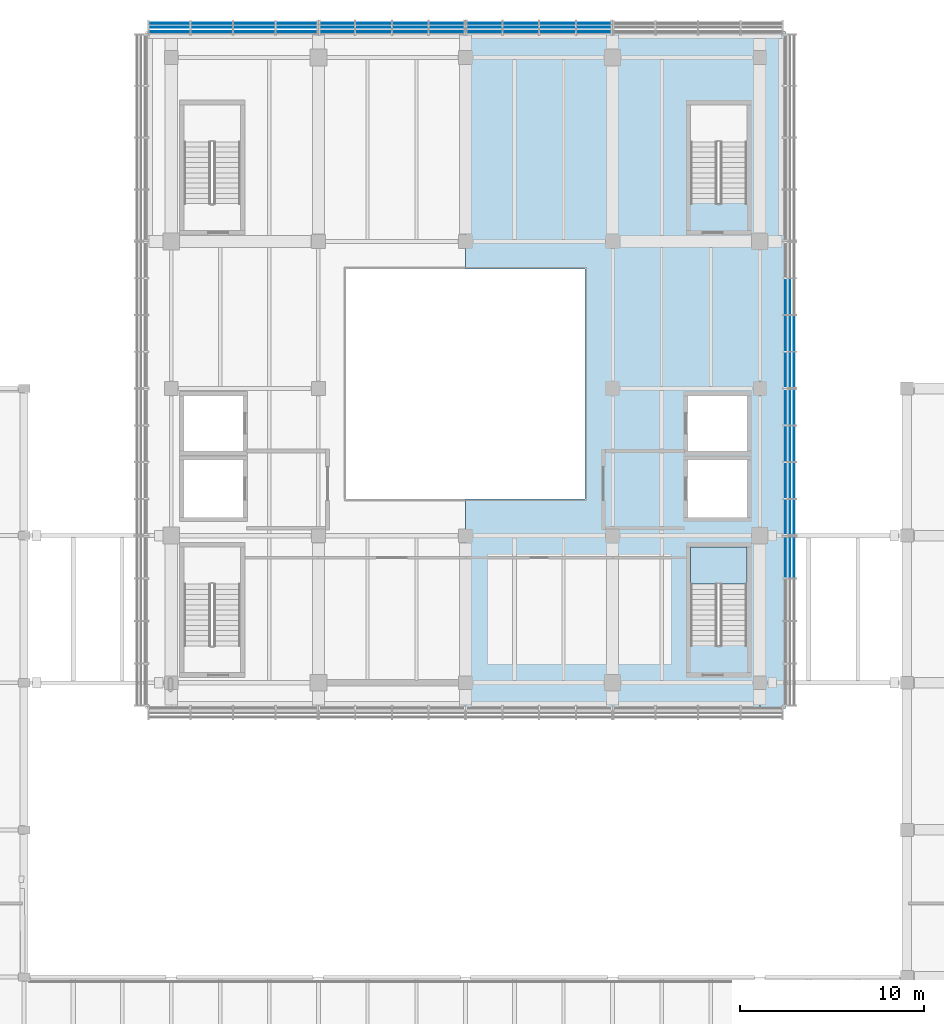
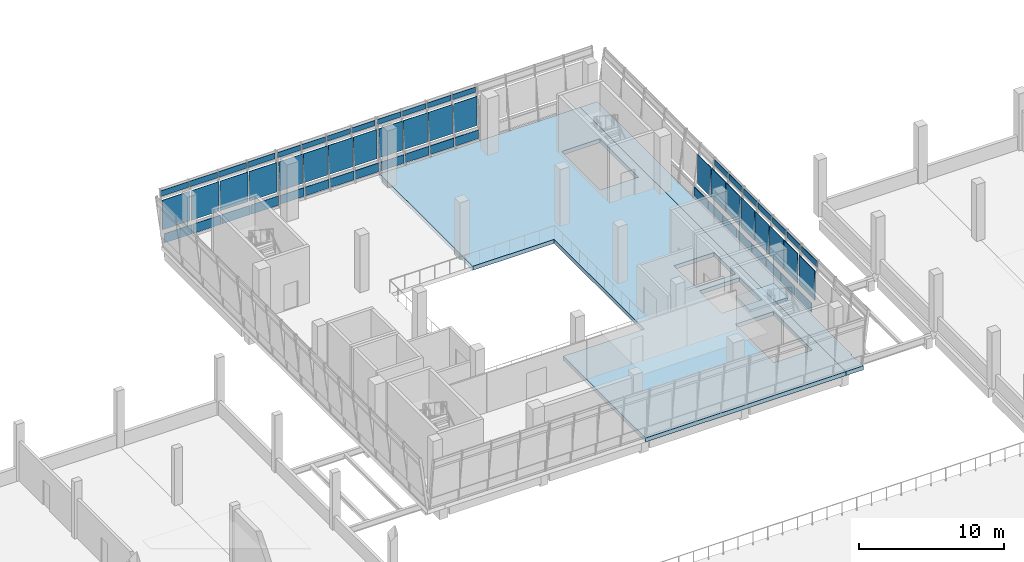
# One storey, part 25 of 52: 59 plates, 3 slabs, 7 elements without a shape of their own.
"""IFC4 building model written with IfcOpenShell, lengths in metres."""

from ifc_helpers import new_model, si_unit, direction, frame, origin, origin_2d, place, context, subcontext, project, spatial, polyline, rectangle, outline, extrude, material, layer, layer_set, type_object, element, aggregate, save


model = new_model("IFC4")

# Units and contexts
model_context = context("Model", 3, precision=1e-05, world=origin(), true_north=direction((0.0, 1.0)))
body_context = subcontext(model_context, "Body", "Model", "MODEL_VIEW")
ifc_project = project(units=[si_unit("LENGTHUNIT", "METRE"), si_unit("AREAUNIT", "SQUARE_METRE"), si_unit("VOLUMEUNIT", "CUBIC_METRE"), si_unit("PLANEANGLEUNIT", "RADIAN"), si_unit("MASSUNIT", "GRAM", prefix="KILO")], contexts=[model_context])

# Site, building, storey
site_placement = place(None, origin())
site = spatial("IfcSite", under=ifc_project, at=site_placement, CompositionType="ELEMENT")
building_placement = place(site_placement, origin())
building = spatial("IfcBuilding", under=site, at=building_placement, Name="Pecanmere Concourse Central Library", CompositionType="ELEMENT")
storey_placement = place(building_placement, frame((0.0, 0.0, 10.5)))
storey = spatial("IfcBuildingStorey", under=building, at=storey_placement, Name="L03", CompositionType="ELEMENT", Elevation=10.5)

# Curtain wall, plates
ifc_material_1 = material(Name="Anodized bronze aluminium alloy 6063-T6", Category="aluminium")
curtain_wall_type_1 = type_object("IfcCurtainWallType", Name="CW_PORTAL_CLEAR", PredefinedType="USERDEFINED", material=ifc_material_1)
curtain_wall_1_placement = place(storey_placement, origin())
curtain_wall_1 = element("IfcCurtainWall", 1, at=curtain_wall_1_placement, inside=storey, type_object=curtain_wall_type_1, Name="Unitised Curtain Wall CW-03 L03-023", ObjectType="UNITISED CURTAIN WALL", PredefinedType="USERDEFINED")
ifc_material_2 = material(Name="White ceramic-fritted insulated spandrel glazing", Category="glass")
ifc_layer_1 = layer(ifc_material_2, 0.06396484375, Name="CWP_SPN_64")
ifc_layer_set_1 = layer_set([ifc_layer_1], Name="White ceramic-fritted insulated spandrel glazing")
plate_type_1 = type_object("IfcPlateType", Name="CWP_SPN_64", PredefinedType="CURTAIN_PANEL", material=ifc_layer_set_1)
plate_1_placement = place(storey_placement, frame((94.97509765625, 125.39794921875, 0.2099609375), z_axis=(0.0, 0.0, 1.0), x_axis=(-1.0, 0.0, 0.0)))
plate_1 = element("IfcPlate", 2, at=plate_1_placement, type_object=plate_type_1, Name="CW-03 Spandrel Panel 1.1", PredefinedType="CURTAIN_PANEL", context=body_context, shape_type="SweptSolid", body=[
    extrude(rectangle(XDim=1.8701171875, YDim=0.0419921875, at=origin_2d()), origin(), (0.0, 0.0, 1.0), 0.735107421875),
])
plate_2_placement = place(storey_placement, frame((92.998779296875, 125.39794921875, 0.2099609375), z_axis=(0.0, 0.0, 1.0), x_axis=(-1.0, 0.0, 0.0)))
plate_2 = element("IfcPlate", 3, at=plate_2_placement, type_object=plate_type_1, Name="CW-03 Spandrel Panel 2.1", PredefinedType="CURTAIN_PANEL", context=body_context, shape_type="SweptSolid", body=[
    extrude(rectangle(XDim=1.91259765625, YDim=0.0419921875, at=origin_2d()), origin(), (0.0, 0.0, 1.0), 0.735107421875),
])
plate_3_placement = place(storey_placement, frame((91.001220703125, 125.39794921875, 0.2099609375), z_axis=(0.0, 0.0, 1.0), x_axis=(-1.0, 0.0, 0.0)))
plate_3 = element("IfcPlate", 4, at=plate_3_placement, type_object=plate_type_1, Name="CW-03 Spandrel Panel 3.1", PredefinedType="CURTAIN_PANEL", context=body_context, shape_type="SweptSolid", body=[
    extrude(rectangle(XDim=1.91259765625, YDim=0.0419921875, at=origin_2d()), origin(), (0.0, 0.0, 1.0), 0.735107421875),
])
plate_4_placement = place(storey_placement, frame((89.02490234375, 125.39794921875, 0.2099609375), z_axis=(0.0, 0.0, 1.0), x_axis=(-1.0, 0.0, 0.0)))
plate_4 = element("IfcPlate", 5, at=plate_4_placement, type_object=plate_type_1, Name="CW-03 Spandrel Panel 4.1", PredefinedType="CURTAIN_PANEL", context=body_context, shape_type="SweptSolid", body=[
    extrude(rectangle(XDim=1.8701171875, YDim=0.0419921875, at=origin_2d()), origin(), (0.0, 0.0, 1.0), 0.735107421875),
])

curtain_wall_2_placement = place(storey_placement, origin())
curtain_wall_2 = element("IfcCurtainWall", 6, at=curtain_wall_2_placement, inside=storey, type_object=curtain_wall_type_1, Name="Unitised Curtain Wall CW-03 L03-024", ObjectType="UNITISED CURTAIN WALL", PredefinedType="USERDEFINED")
plate_5_placement = place(storey_placement, frame((86.97509765625, 125.39794921875, 0.2099609375), z_axis=(0.0, 0.0, 1.0), x_axis=(-1.0, 0.0, 0.0)))
plate_5 = element("IfcPlate", 7, at=plate_5_placement, type_object=plate_type_1, Name="CW-03 Spandrel Panel 1.1", PredefinedType="CURTAIN_PANEL", context=body_context, shape_type="SweptSolid", body=[
    extrude(rectangle(XDim=1.8701171875, YDim=0.0419921875, at=origin_2d()), origin(), (0.0, 0.0, 1.0), 0.735107421875),
])
plate_6_placement = place(storey_placement, frame((84.998779296875, 125.39794921875, 0.2099609375), z_axis=(0.0, 0.0, 1.0), x_axis=(-1.0, 0.0, 0.0)))
plate_6 = element("IfcPlate", 8, at=plate_6_placement, type_object=plate_type_1, Name="CW-03 Spandrel Panel 2.1", PredefinedType="CURTAIN_PANEL", context=body_context, shape_type="SweptSolid", body=[
    extrude(rectangle(XDim=1.91259765625, YDim=0.0419921875, at=origin_2d()), origin(), (0.0, 0.0, 1.0), 0.735107421875),
])
plate_7_placement = place(storey_placement, frame((83.001220703125, 125.39794921875, 0.2099609375), z_axis=(0.0, 0.0, 1.0), x_axis=(-1.0, 0.0, 0.0)))
plate_7 = element("IfcPlate", 9, at=plate_7_placement, type_object=plate_type_1, Name="CW-03 Spandrel Panel 3.1", PredefinedType="CURTAIN_PANEL", context=body_context, shape_type="SweptSolid", body=[
    extrude(rectangle(XDim=1.91259765625, YDim=0.0419921875, at=origin_2d()), origin(), (0.0, 0.0, 1.0), 0.735107421875),
])
plate_8_placement = place(storey_placement, frame((81.02490234375, 125.39794921875, 0.2099609375), z_axis=(0.0, 0.0, 1.0), x_axis=(-1.0, 0.0, 0.0)))
plate_8 = element("IfcPlate", 10, at=plate_8_placement, type_object=plate_type_1, Name="CW-03 Spandrel Panel 4.1", PredefinedType="CURTAIN_PANEL", context=body_context, shape_type="SweptSolid", body=[
    extrude(rectangle(XDim=1.8701171875, YDim=0.0419921875, at=origin_2d()), origin(), (0.0, 0.0, 1.0), 0.735107421875),
])

ifc_material_3 = material(Name="Anodized bronze aluminium alloy 6063-T6", Category="aluminium")
curtain_wall_type_2 = type_object("IfcCurtainWallType", Name="CW_LEAN_BANDED", PredefinedType="USERDEFINED", material=ifc_material_3)
curtain_wall_3_placement = place(storey_placement, origin())
curtain_wall_3 = element("IfcCurtainWall", 11, at=curtain_wall_3_placement, inside=storey, type_object=curtain_wall_type_2, Name="Unitised Curtain Wall CW-01 L03-025", ObjectType="UNITISED CURTAIN WALL", PredefinedType="USERDEFINED")
plate_9_placement = place(storey_placement, frame((78.816650390625, 125.39697265625, 0.18017578125), z_axis=(0.0, 0.0, 1.0), x_axis=(-1.0, 0.0, 0.0)))
plate_9 = element("IfcPlate", 12, at=plate_9_placement, type_object=plate_type_1, Name="CW-01 Spandrel Panel 1.1", PredefinedType="CURTAIN_PANEL", context=body_context, shape_type="SweptSolid", body=[
    extrude(rectangle(XDim=2.20654296875, YDim=0.0419921875, at=origin_2d()), origin(), (0.0, 0.0, 1.0), 0.780029296875),
])
plate_10_placement = place(storey_placement, frame((76.5166015625, 125.39697265625, 0.18017578125), z_axis=(0.0, 0.0, 1.0), x_axis=(-1.0, 0.0, 0.0)))
plate_10 = element("IfcPlate", 13, at=plate_10_placement, type_object=plate_type_1, Name="CW-01 Spandrel Panel 2.1", PredefinedType="CURTAIN_PANEL", context=body_context, shape_type="SweptSolid", body=[
    extrude(rectangle(XDim=2.243896484375, YDim=0.0419921875, at=origin_2d()), origin(), (0.0, 0.0, 1.0), 0.780029296875),
])
plate_11_placement = place(storey_placement, frame((74.197509765625, 125.39697265625, 0.18017578125), z_axis=(0.0, 0.0, 1.0), x_axis=(-1.0, 0.0, 0.0)))
plate_11 = element("IfcPlate", 14, at=plate_11_placement, type_object=plate_type_1, Name="CW-01 Spandrel Panel 3.1", PredefinedType="CURTAIN_PANEL", context=body_context, shape_type="SweptSolid", body=[
    extrude(rectangle(XDim=2.243896484375, YDim=0.0419921875, at=origin_2d()), origin(), (0.0, 0.0, 1.0), 0.780029296875),
])
plate_12_placement = place(storey_placement, frame((71.897216796875, 125.39697265625, 0.18017578125), z_axis=(0.0, 0.0, 1.0), x_axis=(-1.0, 0.0, 0.0)))
plate_12 = element("IfcPlate", 15, at=plate_12_placement, type_object=plate_type_1, Name="CW-01 Spandrel Panel 4.1", PredefinedType="CURTAIN_PANEL", context=body_context, shape_type="SweptSolid", body=[
    extrude(rectangle(XDim=2.20654296875, YDim=0.0419921875, at=origin_2d()), origin(), (0.0, 0.0, 1.0), 0.780029296875),
])

# Curtain wall, plate
curtain_wall_4_placement = place(storey_placement, origin())
curtain_wall_4 = element("IfcCurtainWall", 16, at=curtain_wall_4_placement, inside=storey, type_object=curtain_wall_type_2, Name="Unitised Curtain Wall CW-01 L03-030", ObjectType="UNITISED CURTAIN WALL", PredefinedType="USERDEFINED")
plate_13_placement = place(storey_placement, frame((105.39697265625, 96.816650390625, 0.18017578125), z_axis=(0.0, 0.0, 1.0), x_axis=(0.0, 1.0, 0.0)))
plate_13 = element("IfcPlate", 17, at=plate_13_placement, type_object=plate_type_1, Name="CW-01 Spandrel Panel 4.1", PredefinedType="CURTAIN_PANEL", context=body_context, shape_type="SweptSolid", body=[
    extrude(rectangle(XDim=2.20654296875, YDim=0.0419921875, at=origin_2d()), origin(), (0.0, 0.0, 1.0), 0.780029296875),
])

# Curtain wall, plates
curtain_wall_5_placement = place(storey_placement, origin())
curtain_wall_5 = element("IfcCurtainWall", 18, at=curtain_wall_5_placement, inside=storey, type_object=curtain_wall_type_2, Name="Unitised Curtain Wall CW-01 L03-031", ObjectType="UNITISED CURTAIN WALL", PredefinedType="USERDEFINED")
plate_14_placement = place(storey_placement, frame((105.39697265625, 99.0224609375, 0.18017578125), z_axis=(0.0, 0.0, 1.0), x_axis=(0.0, 1.0, 0.0)))
plate_14 = element("IfcPlate", 19, at=plate_14_placement, type_object=plate_type_1, Name="CW-01 Spandrel Panel 1.1", PredefinedType="CURTAIN_PANEL", context=body_context, shape_type="SweptSolid", body=[
    extrude(rectangle(XDim=1.885009765625, YDim=0.0419921875, at=origin_2d()), origin(), (0.0, 0.0, 1.0), 0.780029296875),
])
plate_15_placement = place(storey_placement, frame((105.39697265625, 101.001220703125, 0.18017578125), z_axis=(0.0, 0.0, 1.0), x_axis=(0.0, 1.0, 0.0)))
plate_15 = element("IfcPlate", 20, at=plate_15_placement, type_object=plate_type_1, Name="CW-01 Spandrel Panel 2.1", PredefinedType="CURTAIN_PANEL", context=body_context, shape_type="SweptSolid", body=[
    extrude(rectangle(XDim=1.922607421875, YDim=0.0419921875, at=origin_2d()), origin(), (0.0, 0.0, 1.0), 0.780029296875),
])
plate_16_placement = place(storey_placement, frame((105.39697265625, 102.998779296875, 0.18017578125), z_axis=(0.0, 0.0, 1.0), x_axis=(0.0, 1.0, 0.0)))
plate_16 = element("IfcPlate", 21, at=plate_16_placement, type_object=plate_type_1, Name="CW-01 Spandrel Panel 3.1", PredefinedType="CURTAIN_PANEL", context=body_context, shape_type="SweptSolid", body=[
    extrude(rectangle(XDim=1.922607421875, YDim=0.0419921875, at=origin_2d()), origin(), (0.0, 0.0, 1.0), 0.780029296875),
])
plate_17_placement = place(storey_placement, frame((105.39697265625, 104.9775390625, 0.18017578125), z_axis=(0.0, 0.0, 1.0), x_axis=(0.0, 1.0, 0.0)))
plate_17 = element("IfcPlate", 22, at=plate_17_placement, type_object=plate_type_1, Name="CW-01 Spandrel Panel 4.1", PredefinedType="CURTAIN_PANEL", context=body_context, shape_type="SweptSolid", body=[
    extrude(rectangle(XDim=1.885009765625, YDim=0.0419921875, at=origin_2d()), origin(), (0.0, 0.0, 1.0), 0.780029296875),
])

curtain_wall_6_placement = place(storey_placement, origin())
curtain_wall_6 = element("IfcCurtainWall", 23, at=curtain_wall_6_placement, inside=storey, type_object=curtain_wall_type_2, Name="Unitised Curtain Wall CW-01 L03-032", ObjectType="UNITISED CURTAIN WALL", PredefinedType="USERDEFINED")
plate_18_placement = place(storey_placement, frame((105.39697265625, 107.0224609375, 0.18017578125), z_axis=(0.0, 0.0, 1.0), x_axis=(0.0, 1.0, 0.0)))
plate_18 = element("IfcPlate", 24, at=plate_18_placement, type_object=plate_type_1, Name="CW-01 Spandrel Panel 1.1", PredefinedType="CURTAIN_PANEL", context=body_context, shape_type="SweptSolid", body=[
    extrude(rectangle(XDim=1.885009765625, YDim=0.0419921875, at=origin_2d()), origin(), (0.0, 0.0, 1.0), 0.780029296875),
])
plate_19_placement = place(storey_placement, frame((105.39697265625, 109.001220703125, 0.18017578125), z_axis=(0.0, 0.0, 1.0), x_axis=(0.0, 1.0, 0.0)))
plate_19 = element("IfcPlate", 25, at=plate_19_placement, type_object=plate_type_1, Name="CW-01 Spandrel Panel 2.1", PredefinedType="CURTAIN_PANEL", context=body_context, shape_type="SweptSolid", body=[
    extrude(rectangle(XDim=1.922607421875, YDim=0.0419921875, at=origin_2d()), origin(), (0.0, 0.0, 1.0), 0.780029296875),
])
plate_20_placement = place(storey_placement, frame((105.39697265625, 110.998779296875, 0.18017578125), z_axis=(0.0, 0.0, 1.0), x_axis=(0.0, 1.0, 0.0)))
plate_20 = element("IfcPlate", 26, at=plate_20_placement, type_object=plate_type_1, Name="CW-01 Spandrel Panel 3.1", PredefinedType="CURTAIN_PANEL", context=body_context, shape_type="SweptSolid", body=[
    extrude(rectangle(XDim=1.922607421875, YDim=0.0419921875, at=origin_2d()), origin(), (0.0, 0.0, 1.0), 0.780029296875),
])

# Plate
ifc_material_4 = material(Name="Low-iron clear insulated glazing", Category="glass")
ifc_layer_2 = layer(ifc_material_4, 0.0419921875, Name="CWP_VIS_42")
ifc_layer_set_2 = layer_set([ifc_layer_2], Name="Low-iron clear insulated glazing")
plate_type_2 = type_object("IfcPlateType", Name="CWP_VIS_42", PredefinedType="CURTAIN_PANEL", material=ifc_layer_set_2)
plate_21_placement = place(storey_placement, frame((94.97509765625, 125.639892578125, 1.15478515625), z_axis=(0.0, 0.0, 1.0), x_axis=(-1.0, 0.0, 0.0)))
plate_21 = element("IfcPlate", 27, at=plate_21_placement, type_object=plate_type_2, Name="CW-03 Vision Panel 1.2", PredefinedType="CURTAIN_PANEL", context=body_context, shape_type="SweptSolid", body=[
    extrude(rectangle(XDim=1.8701171875, YDim=0.0419921875, at=origin_2d()), origin(), (0.0, 0.0, 1.0), 2.469970703125),
])

plate_22_placement = place(storey_placement, frame((94.97509765625, 125.86181640625, 3.8349609375), z_axis=(0.0, 0.0, 1.0), x_axis=(-1.0, 0.0, 0.0)))
plate_22 = element("IfcPlate", 28, at=plate_22_placement, type_object=plate_type_2, Name="CW-03 Vision Panel 1.3", PredefinedType="CURTAIN_PANEL", context=body_context, shape_type="SweptSolid", body=[
    extrude(rectangle(XDim=1.8701171875, YDim=0.0419921875, at=origin_2d()), origin(), (0.0, 0.0, 1.0), 0.43505859375),
])

plate_23_placement = place(storey_placement, frame((92.998779296875, 125.639892578125, 1.15478515625), z_axis=(0.0, 0.0, 1.0), x_axis=(-1.0, 0.0, 0.0)))
plate_23 = element("IfcPlate", 29, at=plate_23_placement, type_object=plate_type_2, Name="CW-03 Vision Panel 2.2", PredefinedType="CURTAIN_PANEL", context=body_context, shape_type="SweptSolid", body=[
    extrude(rectangle(XDim=1.91259765625, YDim=0.0419921875, at=origin_2d()), origin(), (0.0, 0.0, 1.0), 2.469970703125),
])

plate_24_placement = place(storey_placement, frame((92.998779296875, 125.86181640625, 3.8349609375), z_axis=(0.0, 0.0, 1.0), x_axis=(-1.0, 0.0, 0.0)))
plate_24 = element("IfcPlate", 30, at=plate_24_placement, type_object=plate_type_2, Name="CW-03 Vision Panel 2.3", PredefinedType="CURTAIN_PANEL", context=body_context, shape_type="SweptSolid", body=[
    extrude(rectangle(XDim=1.91259765625, YDim=0.0419921875, at=origin_2d()), origin(), (0.0, 0.0, 1.0), 0.43505859375),
])

plate_25_placement = place(storey_placement, frame((91.001220703125, 125.639892578125, 1.15478515625), z_axis=(0.0, 0.0, 1.0), x_axis=(-1.0, 0.0, 0.0)))
plate_25 = element("IfcPlate", 31, at=plate_25_placement, type_object=plate_type_2, Name="CW-03 Vision Panel 3.2", PredefinedType="CURTAIN_PANEL", context=body_context, shape_type="SweptSolid", body=[
    extrude(rectangle(XDim=1.91259765625, YDim=0.0419921875, at=origin_2d()), origin(), (0.0, 0.0, 1.0), 2.469970703125),
])

plate_26_placement = place(storey_placement, frame((91.001220703125, 125.86181640625, 3.8349609375), z_axis=(0.0, 0.0, 1.0), x_axis=(-1.0, 0.0, 0.0)))
plate_26 = element("IfcPlate", 32, at=plate_26_placement, type_object=plate_type_2, Name="CW-03 Vision Panel 3.3", PredefinedType="CURTAIN_PANEL", context=body_context, shape_type="SweptSolid", body=[
    extrude(rectangle(XDim=1.91259765625, YDim=0.0419921875, at=origin_2d()), origin(), (0.0, 0.0, 1.0), 0.43505859375),
])

plate_27_placement = place(storey_placement, frame((89.02490234375, 125.639892578125, 1.15478515625), z_axis=(0.0, 0.0, 1.0), x_axis=(-1.0, 0.0, 0.0)))
plate_27 = element("IfcPlate", 33, at=plate_27_placement, type_object=plate_type_2, Name="CW-03 Vision Panel 4.2", PredefinedType="CURTAIN_PANEL", context=body_context, shape_type="SweptSolid", body=[
    extrude(rectangle(XDim=1.8701171875, YDim=0.0419921875, at=origin_2d()), origin(), (0.0, 0.0, 1.0), 2.469970703125),
])

plate_28_placement = place(storey_placement, frame((89.02490234375, 125.86181640625, 3.8349609375), z_axis=(0.0, 0.0, 1.0), x_axis=(-1.0, 0.0, 0.0)))
plate_28 = element("IfcPlate", 34, at=plate_28_placement, type_object=plate_type_2, Name="CW-03 Vision Panel 4.3", PredefinedType="CURTAIN_PANEL", context=body_context, shape_type="SweptSolid", body=[
    extrude(rectangle(XDim=1.8701171875, YDim=0.0419921875, at=origin_2d()), origin(), (0.0, 0.0, 1.0), 0.43505859375),
])

aggregate(curtain_wall_1, [plate_1, plate_21, plate_22, plate_2, plate_23, plate_24, plate_3, plate_25, plate_26, plate_4, plate_27, plate_28])

plate_29_placement = place(storey_placement, frame((86.97509765625, 125.639892578125, 1.15478515625), z_axis=(0.0, 0.0, 1.0), x_axis=(-1.0, 0.0, 0.0)))
plate_29 = element("IfcPlate", 35, at=plate_29_placement, type_object=plate_type_2, Name="CW-03 Vision Panel 1.2", PredefinedType="CURTAIN_PANEL", context=body_context, shape_type="SweptSolid", body=[
    extrude(rectangle(XDim=1.8701171875, YDim=0.0419921875, at=origin_2d()), origin(), (0.0, 0.0, 1.0), 2.469970703125),
])

plate_30_placement = place(storey_placement, frame((86.97509765625, 125.86181640625, 3.8349609375), z_axis=(0.0, 0.0, 1.0), x_axis=(-1.0, 0.0, 0.0)))
plate_30 = element("IfcPlate", 36, at=plate_30_placement, type_object=plate_type_2, Name="CW-03 Vision Panel 1.3", PredefinedType="CURTAIN_PANEL", context=body_context, shape_type="SweptSolid", body=[
    extrude(rectangle(XDim=1.8701171875, YDim=0.0419921875, at=origin_2d()), origin(), (0.0, 0.0, 1.0), 0.43505859375),
])

plate_31_placement = place(storey_placement, frame((84.998779296875, 125.639892578125, 1.15478515625), z_axis=(0.0, 0.0, 1.0), x_axis=(-1.0, 0.0, 0.0)))
plate_31 = element("IfcPlate", 37, at=plate_31_placement, type_object=plate_type_2, Name="CW-03 Vision Panel 2.2", PredefinedType="CURTAIN_PANEL", context=body_context, shape_type="SweptSolid", body=[
    extrude(rectangle(XDim=1.91259765625, YDim=0.0419921875, at=origin_2d()), origin(), (0.0, 0.0, 1.0), 2.469970703125),
])

plate_32_placement = place(storey_placement, frame((84.998779296875, 125.86181640625, 3.8349609375), z_axis=(0.0, 0.0, 1.0), x_axis=(-1.0, 0.0, 0.0)))
plate_32 = element("IfcPlate", 38, at=plate_32_placement, type_object=plate_type_2, Name="CW-03 Vision Panel 2.3", PredefinedType="CURTAIN_PANEL", context=body_context, shape_type="SweptSolid", body=[
    extrude(rectangle(XDim=1.91259765625, YDim=0.0419921875, at=origin_2d()), origin(), (0.0, 0.0, 1.0), 0.43505859375),
])

plate_33_placement = place(storey_placement, frame((83.001220703125, 125.639892578125, 1.15478515625), z_axis=(0.0, 0.0, 1.0), x_axis=(-1.0, 0.0, 0.0)))
plate_33 = element("IfcPlate", 39, at=plate_33_placement, type_object=plate_type_2, Name="CW-03 Vision Panel 3.2", PredefinedType="CURTAIN_PANEL", context=body_context, shape_type="SweptSolid", body=[
    extrude(rectangle(XDim=1.91259765625, YDim=0.0419921875, at=origin_2d()), origin(), (0.0, 0.0, 1.0), 2.469970703125),
])

plate_34_placement = place(storey_placement, frame((83.001220703125, 125.86181640625, 3.8349609375), z_axis=(0.0, 0.0, 1.0), x_axis=(-1.0, 0.0, 0.0)))
plate_34 = element("IfcPlate", 40, at=plate_34_placement, type_object=plate_type_2, Name="CW-03 Vision Panel 3.3", PredefinedType="CURTAIN_PANEL", context=body_context, shape_type="SweptSolid", body=[
    extrude(rectangle(XDim=1.91259765625, YDim=0.0419921875, at=origin_2d()), origin(), (0.0, 0.0, 1.0), 0.43505859375),
])

plate_35_placement = place(storey_placement, frame((81.02490234375, 125.639892578125, 1.15478515625), z_axis=(0.0, 0.0, 1.0), x_axis=(-1.0, 0.0, 0.0)))
plate_35 = element("IfcPlate", 41, at=plate_35_placement, type_object=plate_type_2, Name="CW-03 Vision Panel 4.2", PredefinedType="CURTAIN_PANEL", context=body_context, shape_type="SweptSolid", body=[
    extrude(rectangle(XDim=1.8701171875, YDim=0.0419921875, at=origin_2d()), origin(), (0.0, 0.0, 1.0), 2.469970703125),
])

plate_36_placement = place(storey_placement, frame((81.02490234375, 125.86181640625, 3.8349609375), z_axis=(0.0, 0.0, 1.0), x_axis=(-1.0, 0.0, 0.0)))
plate_36 = element("IfcPlate", 42, at=plate_36_placement, type_object=plate_type_2, Name="CW-03 Vision Panel 4.3", PredefinedType="CURTAIN_PANEL", context=body_context, shape_type="SweptSolid", body=[
    extrude(rectangle(XDim=1.8701171875, YDim=0.0419921875, at=origin_2d()), origin(), (0.0, 0.0, 1.0), 0.43505859375),
])

aggregate(curtain_wall_2, [plate_5, plate_29, plate_30, plate_6, plate_31, plate_32, plate_7, plate_33, plate_34, plate_8, plate_35, plate_36])

plate_37_placement = place(storey_placement, frame((78.816650390625, 125.639892578125, 1.139892578125), z_axis=(0.0, 0.0, 1.0), x_axis=(-1.0, 0.0, 0.0)))
plate_37 = element("IfcPlate", 43, at=plate_37_placement, type_object=plate_type_2, Name="CW-01 Vision Panel 1.2", PredefinedType="CURTAIN_PANEL", context=body_context, shape_type="SweptSolid", body=[
    extrude(rectangle(XDim=2.20654296875, YDim=0.0419921875, at=origin_2d()), origin(), (0.0, 0.0, 1.0), 2.5),
])

plate_38_placement = place(storey_placement, frame((78.816650390625, 125.86279296875, 3.820068359375), z_axis=(0.0, 0.0, 1.0), x_axis=(-1.0, 0.0, 0.0)))
plate_38 = element("IfcPlate", 44, at=plate_38_placement, type_object=plate_type_2, Name="CW-01 Vision Panel 1.3", PredefinedType="CURTAIN_PANEL", context=body_context, shape_type="SweptSolid", body=[
    extrude(rectangle(XDim=2.20654296875, YDim=0.0419921875, at=origin_2d()), origin(), (0.0, 0.0, 1.0), 0.47998046875),
])

plate_39_placement = place(storey_placement, frame((76.5166015625, 125.639892578125, 1.139892578125), z_axis=(0.0, 0.0, 1.0), x_axis=(-1.0, 0.0, 0.0)))
plate_39 = element("IfcPlate", 45, at=plate_39_placement, type_object=plate_type_2, Name="CW-01 Vision Panel 2.2", PredefinedType="CURTAIN_PANEL", context=body_context, shape_type="SweptSolid", body=[
    extrude(rectangle(XDim=2.243896484375, YDim=0.0419921875, at=origin_2d()), origin(), (0.0, 0.0, 1.0), 2.5),
])

plate_40_placement = place(storey_placement, frame((76.5166015625, 125.86279296875, 3.820068359375), z_axis=(0.0, 0.0, 1.0), x_axis=(-1.0, 0.0, 0.0)))
plate_40 = element("IfcPlate", 46, at=plate_40_placement, type_object=plate_type_2, Name="CW-01 Vision Panel 2.3", PredefinedType="CURTAIN_PANEL", context=body_context, shape_type="SweptSolid", body=[
    extrude(rectangle(XDim=2.243896484375, YDim=0.0419921875, at=origin_2d()), origin(), (0.0, 0.0, 1.0), 0.47998046875),
])

plate_41_placement = place(storey_placement, frame((74.197509765625, 125.639892578125, 1.139892578125), z_axis=(0.0, 0.0, 1.0), x_axis=(-1.0, 0.0, 0.0)))
plate_41 = element("IfcPlate", 47, at=plate_41_placement, type_object=plate_type_2, Name="CW-01 Vision Panel 3.2", PredefinedType="CURTAIN_PANEL", context=body_context, shape_type="SweptSolid", body=[
    extrude(rectangle(XDim=2.243896484375, YDim=0.0419921875, at=origin_2d()), origin(), (0.0, 0.0, 1.0), 2.5),
])

plate_42_placement = place(storey_placement, frame((74.197509765625, 125.86279296875, 3.820068359375), z_axis=(0.0, 0.0, 1.0), x_axis=(-1.0, 0.0, 0.0)))
plate_42 = element("IfcPlate", 48, at=plate_42_placement, type_object=plate_type_2, Name="CW-01 Vision Panel 3.3", PredefinedType="CURTAIN_PANEL", context=body_context, shape_type="SweptSolid", body=[
    extrude(rectangle(XDim=2.243896484375, YDim=0.0419921875, at=origin_2d()), origin(), (0.0, 0.0, 1.0), 0.47998046875),
])

plate_43_placement = place(storey_placement, frame((71.897216796875, 125.639892578125, 1.139892578125), z_axis=(0.0, 0.0, 1.0), x_axis=(-1.0, 0.0, 0.0)))
plate_43 = element("IfcPlate", 49, at=plate_43_placement, type_object=plate_type_2, Name="CW-01 Vision Panel 4.2", PredefinedType="CURTAIN_PANEL", context=body_context, shape_type="SweptSolid", body=[
    extrude(rectangle(XDim=2.20654296875, YDim=0.0419921875, at=origin_2d()), origin(), (0.0, 0.0, 1.0), 2.5),
])

plate_44_placement = place(storey_placement, frame((71.897216796875, 125.86279296875, 3.820068359375), z_axis=(0.0, 0.0, 1.0), x_axis=(-1.0, 0.0, 0.0)))
plate_44 = element("IfcPlate", 50, at=plate_44_placement, type_object=plate_type_2, Name="CW-01 Vision Panel 4.3", PredefinedType="CURTAIN_PANEL", context=body_context, shape_type="SweptSolid", body=[
    extrude(rectangle(XDim=2.20654296875, YDim=0.0419921875, at=origin_2d()), origin(), (0.0, 0.0, 1.0), 0.47998046875),
])

aggregate(curtain_wall_3, [plate_9, plate_37, plate_38, plate_10, plate_39, plate_40, plate_11, plate_41, plate_42, plate_12, plate_43, plate_44])

plate_45_placement = place(storey_placement, frame((105.639892578125, 96.816650390625, 1.139892578125), z_axis=(0.0, 0.0, 1.0), x_axis=(0.0, 1.0, 0.0)))
plate_45 = element("IfcPlate", 51, at=plate_45_placement, type_object=plate_type_2, Name="CW-01 Vision Panel 4.2", PredefinedType="CURTAIN_PANEL", context=body_context, shape_type="SweptSolid", body=[
    extrude(rectangle(XDim=2.20654296875, YDim=0.0419921875, at=origin_2d()), origin(), (0.0, 0.0, 1.0), 2.5),
])

plate_46_placement = place(storey_placement, frame((105.86279296875, 96.816650390625, 3.820068359375), z_axis=(0.0, 0.0, 1.0), x_axis=(0.0, 1.0, 0.0)))
plate_46 = element("IfcPlate", 52, at=plate_46_placement, type_object=plate_type_2, Name="CW-01 Vision Panel 4.3", PredefinedType="CURTAIN_PANEL", context=body_context, shape_type="SweptSolid", body=[
    extrude(rectangle(XDim=2.20654296875, YDim=0.0419921875, at=origin_2d()), origin(), (0.0, 0.0, 1.0), 0.47998046875),
])

aggregate(curtain_wall_4, [plate_13, plate_45, plate_46])

plate_47_placement = place(storey_placement, frame((105.639892578125, 99.0224609375, 1.139892578125), z_axis=(0.0, 0.0, 1.0), x_axis=(0.0, 1.0, 0.0)))
plate_47 = element("IfcPlate", 53, at=plate_47_placement, type_object=plate_type_2, Name="CW-01 Vision Panel 1.2", PredefinedType="CURTAIN_PANEL", context=body_context, shape_type="SweptSolid", body=[
    extrude(rectangle(XDim=1.885009765625, YDim=0.0419921875, at=origin_2d()), origin(), (0.0, 0.0, 1.0), 2.5),
])

plate_48_placement = place(storey_placement, frame((105.86279296875, 99.0224609375, 3.820068359375), z_axis=(0.0, 0.0, 1.0), x_axis=(0.0, 1.0, 0.0)))
plate_48 = element("IfcPlate", 54, at=plate_48_placement, type_object=plate_type_2, Name="CW-01 Vision Panel 1.3", PredefinedType="CURTAIN_PANEL", context=body_context, shape_type="SweptSolid", body=[
    extrude(rectangle(XDim=1.885009765625, YDim=0.0419921875, at=origin_2d()), origin(), (0.0, 0.0, 1.0), 0.47998046875),
])

plate_49_placement = place(storey_placement, frame((105.639892578125, 101.001220703125, 1.139892578125), z_axis=(0.0, 0.0, 1.0), x_axis=(0.0, 1.0, 0.0)))
plate_49 = element("IfcPlate", 55, at=plate_49_placement, type_object=plate_type_2, Name="CW-01 Vision Panel 2.2", PredefinedType="CURTAIN_PANEL", context=body_context, shape_type="SweptSolid", body=[
    extrude(rectangle(XDim=1.922607421875, YDim=0.0419921875, at=origin_2d()), origin(), (0.0, 0.0, 1.0), 2.5),
])

plate_50_placement = place(storey_placement, frame((105.86279296875, 101.001220703125, 3.820068359375), z_axis=(0.0, 0.0, 1.0), x_axis=(0.0, 1.0, 0.0)))
plate_50 = element("IfcPlate", 56, at=plate_50_placement, type_object=plate_type_2, Name="CW-01 Vision Panel 2.3", PredefinedType="CURTAIN_PANEL", context=body_context, shape_type="SweptSolid", body=[
    extrude(rectangle(XDim=1.922607421875, YDim=0.0419921875, at=origin_2d()), origin(), (0.0, 0.0, 1.0), 0.47998046875),
])

plate_51_placement = place(storey_placement, frame((105.639892578125, 102.998779296875, 1.139892578125), z_axis=(0.0, 0.0, 1.0), x_axis=(0.0, 1.0, 0.0)))
plate_51 = element("IfcPlate", 57, at=plate_51_placement, type_object=plate_type_2, Name="CW-01 Vision Panel 3.2", PredefinedType="CURTAIN_PANEL", context=body_context, shape_type="SweptSolid", body=[
    extrude(rectangle(XDim=1.922607421875, YDim=0.0419921875, at=origin_2d()), origin(), (0.0, 0.0, 1.0), 2.5),
])

plate_52_placement = place(storey_placement, frame((105.86279296875, 102.998779296875, 3.820068359375), z_axis=(0.0, 0.0, 1.0), x_axis=(0.0, 1.0, 0.0)))
plate_52 = element("IfcPlate", 58, at=plate_52_placement, type_object=plate_type_2, Name="CW-01 Vision Panel 3.3", PredefinedType="CURTAIN_PANEL", context=body_context, shape_type="SweptSolid", body=[
    extrude(rectangle(XDim=1.922607421875, YDim=0.0419921875, at=origin_2d()), origin(), (0.0, 0.0, 1.0), 0.47998046875),
])

plate_53_placement = place(storey_placement, frame((105.639892578125, 104.9775390625, 1.139892578125), z_axis=(0.0, 0.0, 1.0), x_axis=(0.0, 1.0, 0.0)))
plate_53 = element("IfcPlate", 59, at=plate_53_placement, type_object=plate_type_2, Name="CW-01 Vision Panel 4.2", PredefinedType="CURTAIN_PANEL", context=body_context, shape_type="SweptSolid", body=[
    extrude(rectangle(XDim=1.885009765625, YDim=0.0419921875, at=origin_2d()), origin(), (0.0, 0.0, 1.0), 2.5),
])

plate_54_placement = place(storey_placement, frame((105.86279296875, 104.9775390625, 3.820068359375), z_axis=(0.0, 0.0, 1.0), x_axis=(0.0, 1.0, 0.0)))
plate_54 = element("IfcPlate", 60, at=plate_54_placement, type_object=plate_type_2, Name="CW-01 Vision Panel 4.3", PredefinedType="CURTAIN_PANEL", context=body_context, shape_type="SweptSolid", body=[
    extrude(rectangle(XDim=1.885009765625, YDim=0.0419921875, at=origin_2d()), origin(), (0.0, 0.0, 1.0), 0.47998046875),
])

aggregate(curtain_wall_5, [plate_14, plate_47, plate_48, plate_15, plate_49, plate_50, plate_16, plate_51, plate_52, plate_17, plate_53, plate_54])

plate_55_placement = place(storey_placement, frame((105.639892578125, 107.0224609375, 1.139892578125), z_axis=(0.0, 0.0, 1.0), x_axis=(0.0, 1.0, 0.0)))
plate_55 = element("IfcPlate", 61, at=plate_55_placement, type_object=plate_type_2, Name="CW-01 Vision Panel 1.2", PredefinedType="CURTAIN_PANEL", context=body_context, shape_type="SweptSolid", body=[
    extrude(rectangle(XDim=1.885009765625, YDim=0.0419921875, at=origin_2d()), origin(), (0.0, 0.0, 1.0), 2.5),
])

plate_56_placement = place(storey_placement, frame((105.86279296875, 107.0224609375, 3.820068359375), z_axis=(0.0, 0.0, 1.0), x_axis=(0.0, 1.0, 0.0)))
plate_56 = element("IfcPlate", 62, at=plate_56_placement, type_object=plate_type_2, Name="CW-01 Vision Panel 1.3", PredefinedType="CURTAIN_PANEL", context=body_context, shape_type="SweptSolid", body=[
    extrude(rectangle(XDim=1.885009765625, YDim=0.0419921875, at=origin_2d()), origin(), (0.0, 0.0, 1.0), 0.47998046875),
])

plate_57_placement = place(storey_placement, frame((105.639892578125, 109.001220703125, 1.139892578125), z_axis=(0.0, 0.0, 1.0), x_axis=(0.0, 1.0, 0.0)))
plate_57 = element("IfcPlate", 63, at=plate_57_placement, type_object=plate_type_2, Name="CW-01 Vision Panel 2.2", PredefinedType="CURTAIN_PANEL", context=body_context, shape_type="SweptSolid", body=[
    extrude(rectangle(XDim=1.922607421875, YDim=0.0419921875, at=origin_2d()), origin(), (0.0, 0.0, 1.0), 2.5),
])

plate_58_placement = place(storey_placement, frame((105.86279296875, 109.001220703125, 3.820068359375), z_axis=(0.0, 0.0, 1.0), x_axis=(0.0, 1.0, 0.0)))
plate_58 = element("IfcPlate", 64, at=plate_58_placement, type_object=plate_type_2, Name="CW-01 Vision Panel 2.3", PredefinedType="CURTAIN_PANEL", context=body_context, shape_type="SweptSolid", body=[
    extrude(rectangle(XDim=1.922607421875, YDim=0.0419921875, at=origin_2d()), origin(), (0.0, 0.0, 1.0), 0.47998046875),
])

plate_59_placement = place(storey_placement, frame((105.639892578125, 110.998779296875, 1.139892578125), z_axis=(0.0, 0.0, 1.0), x_axis=(0.0, 1.0, 0.0)))
plate_59 = element("IfcPlate", 65, at=plate_59_placement, type_object=plate_type_2, Name="CW-01 Vision Panel 3.2", PredefinedType="CURTAIN_PANEL", context=body_context, shape_type="SweptSolid", body=[
    extrude(rectangle(XDim=1.922607421875, YDim=0.0419921875, at=origin_2d()), origin(), (0.0, 0.0, 1.0), 2.5),
])

aggregate(curtain_wall_6, [plate_18, plate_55, plate_56, plate_19, plate_57, plate_58, plate_20, plate_59])

# Slabs
ifc_material_5 = material(Name="Concrete C35/45", Category="concrete")
ifc_layer_3 = layer(ifc_material_5, 0.340087890625, Name="SLAB_COMPACT_340")
ifc_layer_set_3 = layer_set([ifc_layer_3], Name="Concrete C35/45")
slab_type_1 = type_object("IfcSlabType", Name="SLAB_COMPACT_340", PredefinedType="FLOOR", material=ifc_layer_set_3)
slab_1_placement = place(storey_placement, frame((0.0, 0.0, -0.340087890625)))
element("IfcSlab", 66, at=slab_1_placement, inside=storey, type_object=slab_type_1, Name="Floor Slab V1 L03-102", PredefinedType="FLOOR", context=body_context, shape_type="SweptSolid", body=[
    extrude(outline(polyline([(88.0, 88.59912109375), (88.0, 100.0), (94.5, 100.0), (94.5, 112.5), (88.0, 112.5), (88.0, 125.40087890625), (104.0, 125.40087890625), (104.0, 88.59912109375), (88.0, 88.59912109375)]), holes=[polyline([(103.300048828125, 97.3701171875), (100.239990234375, 97.3701171875), (100.239990234375, 92.030029296875), (103.300048828125, 92.030029296875), (103.300048828125, 97.3701171875)]), polyline([(103.300048828125, 102.10009765625), (100.10009765625, 102.10009765625), (100.10009765625, 99.0), (103.300048828125, 99.0), (103.300048828125, 102.10009765625)]), polyline([(103.300048828125, 105.60009765625), (100.10009765625, 105.60009765625), (100.10009765625, 102.60009765625), (103.300048828125, 102.60009765625), (103.300048828125, 105.60009765625)]), polyline([(103.300048828125, 121.419921875), (100.239990234375, 121.419921875), (100.239990234375, 116.080078125), (103.300048828125, 116.080078125), (103.300048828125, 121.419921875)])]), origin(), (0.0, 0.0, 1.0), 0.340087890625),
])
slab_2_placement = place(storey_placement, frame((0.0, 0.0, -0.340087890625)))
element("IfcSlab", 67, at=slab_2_placement, inside=storey, type_object=slab_type_1, Name="Floor Slab V1 L03-103", PredefinedType="FLOOR", context=body_context, shape_type="SweptSolid", body=[
    extrude(outline(polyline([(104.0, 125.40087890625), (105.40087890625, 125.40087890625), (105.40087890625, 90.198974609375), (105.321044921875, 90.198974609375), (105.321044921875, 89.59912109375), (105.40087890625, 89.59912109375), (105.40087890625, 88.59912109375), (104.0, 88.59912109375), (104.0, 125.40087890625)])), origin(), (0.0, 0.0, 1.0), 0.340087890625),
])

# Stair, slab
ifc_material_6 = material(Name="Concrete C35/45", Category="concrete")
stair_type = type_object("IfcStairType", Name="STAIR_TYPE_ST-02-1846", PredefinedType="USERDEFINED", material=ifc_material_6)
stair_placement = place(storey_placement, origin())
stair = element("IfcStair", 68, at=stair_placement, inside=storey, type_object=stair_type, Name="L03 Protected Stair ST-02", ObjectType="TWO_RETURN_STAIR", PredefinedType="USERDEFINED")
ifc_material_7 = material(Name="Concrete C35/45", Category="concrete")
ifc_layer_4 = layer(ifc_material_7, 0.199951171875, Name="SLAB_LANDING_200")
ifc_layer_set_4 = layer_set([ifc_layer_4], Name="Concrete C35/45")
slab_type_2 = type_object("IfcSlabType", Name="SLAB_LANDING_200", PredefinedType="LANDING", material=ifc_layer_set_4)
slab_3_placement = place(storey_placement, frame((0.0, 0.0, 2.199951171875)))
slab_3 = element("IfcSlab", 69, at=slab_3_placement, type_object=slab_type_2, Name="ST-02-1846 landing 1", PredefinedType="LANDING", context=body_context, shape_type="SweptSolid", body=[
    extrude(outline(polyline([(103.300048828125, 95.360107421875), (103.300048828125, 97.3701171875), (100.239990234375, 97.3701171875), (100.239990234375, 95.360107421875), (103.300048828125, 95.360107421875)])), origin(), (0.0, 0.0, 1.0), 0.199951171875),
])
aggregate(stair, [slab_3])

save(model, "model.ifc")
